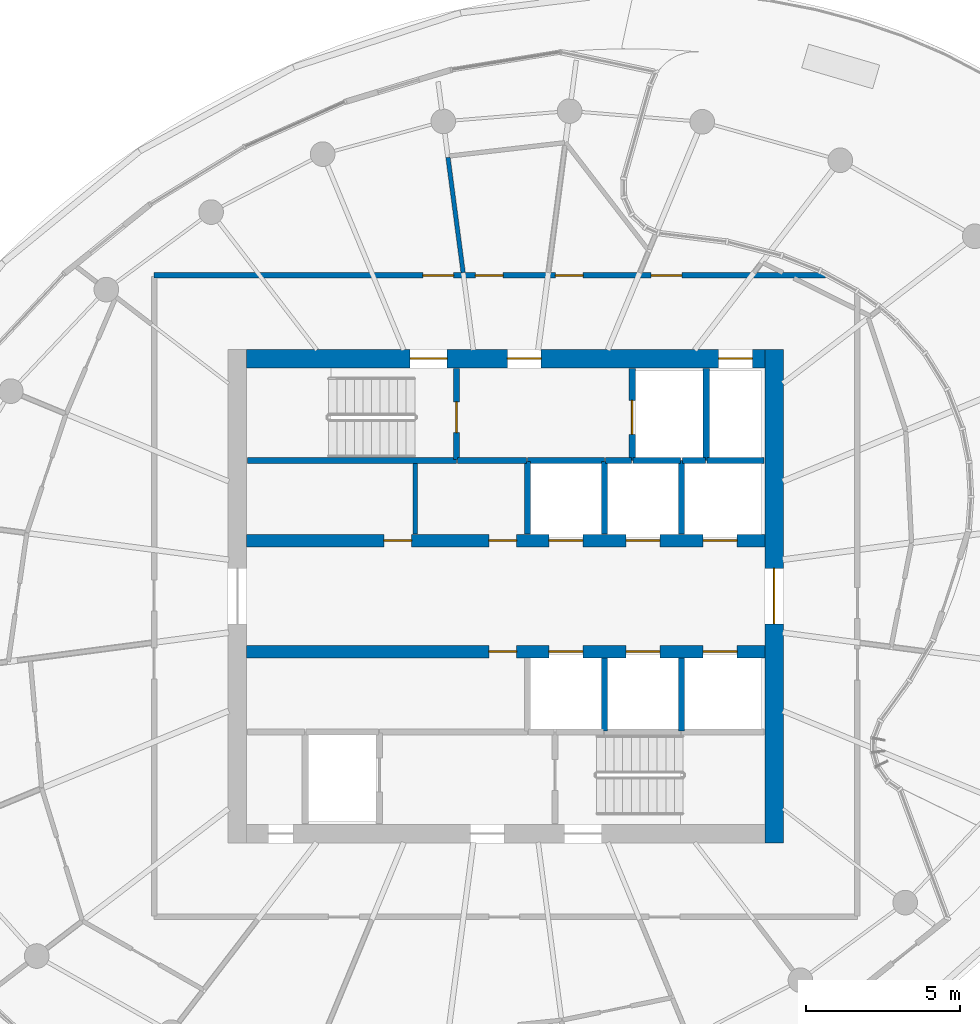
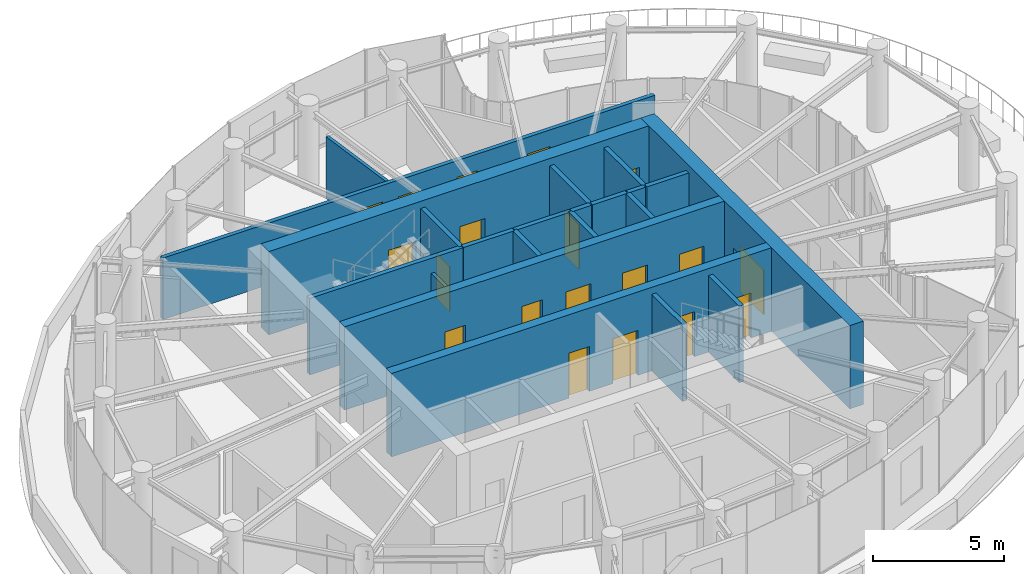
# One storey, part 13 of 19: 22 walls, 19 doors, 19 openings.
"""IFC4 building model written with IfcOpenShell, lengths in metres."""

from ifc_helpers import new_model, si_unit, direction, frame, frame_2d, origin, place, context, subcontext, project, spatial, rectangle, extrude, source, transform, mapped, material, layer, layer_set, type_object, element, fill, save


model = new_model("IFC4")

# Units and contexts
model_context = context("Model", 3, precision=1e-05, world=origin(), true_north=direction((0.0, 1.0)))
body_context = subcontext(model_context, "Body", "Model", "MODEL_VIEW")
ifc_project = project(units=[si_unit("LENGTHUNIT", "METRE"), si_unit("AREAUNIT", "SQUARE_METRE"), si_unit("VOLUMEUNIT", "CUBIC_METRE"), si_unit("PLANEANGLEUNIT", "RADIAN"), si_unit("MASSUNIT", "GRAM", prefix="KILO")], contexts=[model_context])

# Site, building, storey
site_placement = place(None, origin())
site = spatial("IfcSite", under=ifc_project, at=site_placement, CompositionType="ELEMENT")
building_placement = place(site_placement, origin())
building = spatial("IfcBuilding", under=site, at=building_placement, Name="Spindrift Exchange Tower", CompositionType="ELEMENT")
storey_placement = place(building_placement, frame((0.0, 0.0, 234.5)))
storey = spatial("IfcBuildingStorey", under=building, at=storey_placement, Name="L57", CompositionType="ELEMENT", Elevation=234.5)

# Wall, opening, door
ifc_material_1 = material(Name="Concrete 50 MPa", Category="concrete")
ifc_layer_1 = layer(ifc_material_1, 0.60009765625)
ifc_layer_set_1 = layer_set([ifc_layer_1], Name="RC Core Wall 600 Concrete 50 MPa")
wall_type_1 = type_object("IfcWallType", Name="RC Core Wall 600 Concrete 50 MPa", PredefinedType="SHEAR", material=ifc_layer_set_1)
wall_1_placement = place(storey_placement, frame((60.699951171875, 40.0, 0.0), z_axis=(0.0, 0.0, 1.0), x_axis=(0.0, 1.0, 0.0)))
wall_1 = element("IfcWall", 1, at=wall_1_placement, inside=storey, type_object=wall_type_1, Name="Core wall E L57", PredefinedType="SHEAR", context=body_context, shape_type="SweptSolid", body=[
    extrude(rectangle(XDim=16.0, YDim=0.60009765625, at=frame_2d((8.0, 0.0))), origin(), (0.0, 0.0, 1.0), 3.89990234375),
])
opening_1_placement = place(wall_1_placement, frame((7.10009765625, 0.0, 0.0)))
opening_1 = element("IfcOpeningElement", 2, at=opening_1_placement, cuts=wall_1, Name="Opening L57-D2", PredefinedType="OPENING", context=body_context, shape_type="SweptSolid", body=[
    extrude(rectangle(XDim=1.800048828125, YDim=2.10009765625, at=frame_2d((0.89990234375, 1.050048828125))), frame((0.0, 0.31005859375, 0.0), z_axis=(0.0, -1.0, 0.0), x_axis=(1.0, 0.0, 0.0)), (0.0, 0.0, 1.0), 0.6201171875),
])
ifc_material_2 = material(Name="Timber-core fire door", Category="wood")
door_type_1 = type_object("IfcDoorType", Name="DR-LOBBY-1800", OperationType="NOTDEFINED", PredefinedType="DOOR", material=ifc_material_2)
shared_shape_1 = source(origin(), body_context, "Body", "SweptSolid", [
    extrude(rectangle(XDim=1.800048828125, YDim=2.10009765625, at=frame_2d((0.89990234375, 1.050048828125))), frame((0.0, 0.02490234375, 0.0), z_axis=(0.0, -1.0, 0.0), x_axis=(1.0, 0.0, 0.0)), (0.0, 0.0, 1.0), 0.050048828125),
])
door_1_placement = place(opening_1_placement, origin())
door_1 = element("IfcDoor", 3, at=door_1_placement, inside=storey, type_object=door_type_1, Name="L57 Lobby door 2", OperationType="SINGLE_SWING_LEFT", OverallHeight=2.10009765625, OverallWidth=1.800048828125, PredefinedType="DOOR", context=body_context, shape_type="MappedRepresentation", body=[
    mapped(shared_shape_1, transform((0.0, 0.0, 0.0), scale=1.0)),
])
fill(opening_1, door_1)

# Wall, openings, doors
wall_2_placement = place(storey_placement, frame((60.39990234375, 55.699951171875, 0.0), z_axis=(0.0, 0.0, 1.0), x_axis=(-1.0, 0.0, 0.0)))
wall_2 = element("IfcWall", 4, at=wall_2_placement, inside=storey, type_object=wall_type_1, Name="Core wall N L57", PredefinedType="SHEAR", context=body_context, shape_type="SweptSolid", body=[
    extrude(rectangle(XDim=16.7998046875, YDim=0.60009765625, at=frame_2d((8.39990234375, 0.0))), origin(), (0.0, 0.0, 1.0), 3.89990234375),
])
opening_2_placement = place(wall_2_placement, frame((0.39990234375, 0.0, 0.0)))
opening_2 = element("IfcOpeningElement", 5, at=opening_2_placement, cuts=wall_2, Name="Opening L57-D11", PredefinedType="OPENING", context=body_context, shape_type="SweptSolid", body=[
    extrude(rectangle(XDim=1.10009765625, YDim=2.10009765625, at=frame_2d((0.550048828125, 1.050048828125))), frame((0.0, 0.31005859375, 0.0), z_axis=(0.0, -1.0, 0.0), x_axis=(1.0, 0.0, 0.0)), (0.0, 0.0, 1.0), 0.6201171875),
])
opening_3_placement = place(wall_2_placement, frame((10.300048828125, 0.0, 0.0)))
opening_3 = element("IfcOpeningElement", 6, at=opening_3_placement, cuts=wall_2, Name="Opening L57-D12", PredefinedType="OPENING", context=body_context, shape_type="SweptSolid", body=[
    extrude(rectangle(XDim=1.199951171875, YDim=2.10009765625, at=frame_2d((0.60009765625, 1.050048828125))), frame((0.0, 0.31005859375, 0.0), z_axis=(0.0, -1.0, 0.0), x_axis=(1.0, 0.0, 0.0)), (0.0, 0.0, 1.0), 0.6201171875),
])
opening_4_placement = place(wall_2_placement, frame((7.25, 0.0, 0.0)))
opening_4 = element("IfcOpeningElement", 7, at=opening_4_placement, cuts=wall_2, Name="Opening L57-D14", PredefinedType="OPENING", context=body_context, shape_type="SweptSolid", body=[
    extrude(rectangle(XDim=1.10009765625, YDim=2.10009765625, at=frame_2d((0.550048828125, 1.050048828125))), frame((0.0, 0.31005859375, 0.0), z_axis=(0.0, -1.0, 0.0), x_axis=(1.0, 0.0, 0.0)), (0.0, 0.0, 1.0), 0.6201171875),
])
ifc_material_3 = material(Name="Stainless steel landing door", Category="steel")
door_type_2 = type_object("IfcDoorType", Name="DR-LANDING-1100-SL", OperationType="DOUBLE_DOOR_SLIDING", PredefinedType="USERDEFINED", material=ifc_material_3)
shared_shape_2 = source(origin(), body_context, "Body", "SweptSolid", [
    extrude(rectangle(XDim=1.10009765625, YDim=2.10009765625, at=frame_2d((0.550048828125, 1.050048828125))), frame((0.0, 0.02490234375, 0.0), z_axis=(0.0, -1.0, 0.0), x_axis=(1.0, 0.0, 0.0)), (0.0, 0.0, 1.0), 0.050048828125),
])
door_2_placement = place(opening_2_placement, origin())
door_2 = element("IfcDoor", 8, at=door_2_placement, inside=storey, type_object=door_type_2, Name="L57 Lift landing door 11", ObjectType="LANDING DOOR", OperationType="DOUBLE_DOOR_SLIDING", OverallHeight=2.10009765625, OverallWidth=1.10009765625, PredefinedType="USERDEFINED", context=body_context, shape_type="MappedRepresentation", body=[
    mapped(shared_shape_2, transform((0.0, 0.0, 0.0), scale=1.0)),
])
fill(opening_2, door_2)
ifc_material_4 = material(Name="Steel fire door", Category="steel")
door_type_3 = type_object("IfcDoorType", Name="DR-STAIR-1200", OperationType="NOTDEFINED", PredefinedType="DOOR", material=ifc_material_4)
shared_shape_3 = source(origin(), body_context, "Body", "SweptSolid", [
    extrude(rectangle(XDim=1.199951171875, YDim=2.10009765625, at=frame_2d((0.60009765625, 1.050048828125))), frame((0.0, 0.02490234375, 0.0), z_axis=(0.0, -1.0, 0.0), x_axis=(1.0, 0.0, 0.0)), (0.0, 0.0, 1.0), 0.050048828125),
])
door_3_placement = place(opening_3_placement, origin())
door_3 = element("IfcDoor", 9, at=door_3_placement, inside=storey, type_object=door_type_3, Name="L57 Stair door 12", OperationType="SINGLE_SWING_RIGHT", OverallHeight=2.10009765625, OverallWidth=1.199951171875, PredefinedType="DOOR", context=body_context, shape_type="MappedRepresentation", body=[
    mapped(shared_shape_3, transform((0.0, 0.0, 0.0), scale=1.0)),
])
fill(opening_3, door_3)
door_type_4 = type_object("IfcDoorType", Name="DR-LOBBY-1100", OperationType="NOTDEFINED", PredefinedType="DOOR", material=ifc_material_2)
shared_shape_4 = source(origin(), body_context, "Body", "SweptSolid", [
    extrude(rectangle(XDim=1.10009765625, YDim=2.10009765625, at=frame_2d((0.550048828125, 1.050048828125))), frame((0.0, 0.02490234375, 0.0), z_axis=(0.0, -1.0, 0.0), x_axis=(1.0, 0.0, 0.0)), (0.0, 0.0, 1.0), 0.050048828125),
])
door_4_placement = place(opening_4_placement, origin())
door_4 = element("IfcDoor", 10, at=door_4_placement, inside=storey, type_object=door_type_4, Name="L57 Lobby door 14", OperationType="SINGLE_SWING_RIGHT", OverallHeight=2.10009765625, OverallWidth=1.10009765625, PredefinedType="DOOR", context=body_context, shape_type="MappedRepresentation", body=[
    mapped(shared_shape_4, transform((0.0, 0.0, 0.0), scale=1.0)),
])
fill(opening_4, door_4)

ifc_layer_2 = layer(ifc_material_1, 0.39990234375)
ifc_layer_set_2 = layer_set([ifc_layer_2], Name="RC Spine Wall 400 Concrete 50 MPa")
wall_type_2 = type_object("IfcWallType", Name="RC Spine Wall 400 Concrete 50 MPa", PredefinedType="SHEAR", material=ifc_layer_set_2)
wall_3_placement = place(storey_placement, frame((43.60009765625, 49.800048828125, 0.0), z_axis=(0.0, 0.0, 1.0), x_axis=(1.0, 0.0, 0.0)))
wall_3 = element("IfcWall", 11, at=wall_3_placement, inside=storey, type_object=wall_type_2, Name="Core spine wall N L57", PredefinedType="SHEAR", context=body_context, shape_type="SweptSolid", body=[
    extrude(rectangle(XDim=16.7998046875, YDim=0.39990234375, at=frame_2d((8.39990234375, 0.0))), origin(), (0.0, 0.0, 1.0), 3.89990234375),
])
opening_5_placement = place(wall_3_placement, frame((9.800048828125, 0.0, 0.0)))
opening_5 = element("IfcOpeningElement", 12, at=opening_5_placement, cuts=wall_3, Name="Opening L57-D3", PredefinedType="OPENING", context=body_context, shape_type="SweptSolid", body=[
    extrude(rectangle(XDim=1.10009765625, YDim=2.10009765625, at=frame_2d((0.550048828125, 1.050048828125))), frame((0.0, 0.2099609375, 0.0), z_axis=(0.0, -1.0, 0.0), x_axis=(1.0, 0.0, 0.0)), (0.0, 0.0, 1.0), 0.419921875),
])
opening_6_placement = place(wall_3_placement, frame((12.300048828125, 0.0, 0.0)))
opening_6 = element("IfcOpeningElement", 13, at=opening_6_placement, cuts=wall_3, Name="Opening L57-D4", PredefinedType="OPENING", context=body_context, shape_type="SweptSolid", body=[
    extrude(rectangle(XDim=1.10009765625, YDim=2.10009765625, at=frame_2d((0.550048828125, 1.050048828125))), frame((0.0, 0.2099609375, 0.0), z_axis=(0.0, -1.0, 0.0), x_axis=(1.0, 0.0, 0.0)), (0.0, 0.0, 1.0), 0.419921875),
])
opening_7_placement = place(wall_3_placement, frame((14.800048828125, 0.0, 0.0)))
opening_7 = element("IfcOpeningElement", 14, at=opening_7_placement, cuts=wall_3, Name="Opening L57-D5", PredefinedType="OPENING", context=body_context, shape_type="SweptSolid", body=[
    extrude(rectangle(XDim=1.10009765625, YDim=2.10009765625, at=frame_2d((0.550048828125, 1.050048828125))), frame((0.0, 0.2099609375, 0.0), z_axis=(0.0, -1.0, 0.0), x_axis=(1.0, 0.0, 0.0)), (0.0, 0.0, 1.0), 0.419921875),
])
opening_8_placement = place(wall_3_placement, frame((4.449951171875, 0.0, 0.0)))
opening_8 = element("IfcOpeningElement", 15, at=opening_8_placement, cuts=wall_3, Name="Opening L57-D39", PredefinedType="OPENING", context=body_context, shape_type="SweptSolid", body=[
    extrude(rectangle(XDim=0.89990234375, YDim=2.10009765625, at=frame_2d((0.449951171875, 1.050048828125))), frame((0.0, 0.2099609375, 0.0), z_axis=(0.0, -1.0, 0.0), x_axis=(1.0, 0.0, 0.0)), (0.0, 0.0, 1.0), 0.419921875),
])
opening_9_placement = place(wall_3_placement, frame((7.85009765625, 0.0, 0.0)))
opening_9 = element("IfcOpeningElement", 16, at=opening_9_placement, cuts=wall_3, Name="Opening L57-D40", PredefinedType="OPENING", context=body_context, shape_type="SweptSolid", body=[
    extrude(rectangle(XDim=0.89990234375, YDim=2.10009765625, at=frame_2d((0.449951171875, 1.050048828125))), frame((0.0, 0.2099609375, 0.0), z_axis=(0.0, -1.0, 0.0), x_axis=(1.0, 0.0, 0.0)), (0.0, 0.0, 1.0), 0.419921875),
])
door_5_placement = place(opening_5_placement, origin())
door_5 = element("IfcDoor", 17, at=door_5_placement, inside=storey, type_object=door_type_2, Name="L57 Lift landing door 3", ObjectType="LANDING DOOR", OperationType="DOUBLE_DOOR_SLIDING", OverallHeight=2.10009765625, OverallWidth=1.10009765625, PredefinedType="USERDEFINED", context=body_context, shape_type="MappedRepresentation", body=[
    mapped(shared_shape_2, transform((0.0, 0.0, 0.0), scale=1.0)),
])
fill(opening_5, door_5)
door_6_placement = place(opening_6_placement, origin())
door_6 = element("IfcDoor", 18, at=door_6_placement, inside=storey, type_object=door_type_2, Name="L57 Lift landing door 4", ObjectType="LANDING DOOR", OperationType="DOUBLE_DOOR_SLIDING", OverallHeight=2.10009765625, OverallWidth=1.10009765625, PredefinedType="USERDEFINED", context=body_context, shape_type="MappedRepresentation", body=[
    mapped(shared_shape_2, transform((0.0, 0.0, 0.0), scale=1.0)),
])
fill(opening_6, door_6)
door_7_placement = place(opening_7_placement, origin())
door_7 = element("IfcDoor", 19, at=door_7_placement, inside=storey, type_object=door_type_2, Name="L57 Lift landing door 5", ObjectType="LANDING DOOR", OperationType="DOUBLE_DOOR_SLIDING", OverallHeight=2.10009765625, OverallWidth=1.10009765625, PredefinedType="USERDEFINED", context=body_context, shape_type="MappedRepresentation", body=[
    mapped(shared_shape_2, transform((0.0, 0.0, 0.0), scale=1.0)),
])
fill(opening_7, door_7)
ifc_material_5 = material(Name="Steel access door", Category="steel")
door_type_5 = type_object("IfcDoorType", Name="DR-RISER-900", OperationType="NOTDEFINED", PredefinedType="DOOR", material=ifc_material_5)
shared_shape_5 = source(origin(), body_context, "Body", "SweptSolid", [
    extrude(rectangle(XDim=0.89990234375, YDim=2.10009765625, at=frame_2d((0.449951171875, 1.050048828125))), frame((0.0, 0.02490234375, 0.0), z_axis=(0.0, -1.0, 0.0), x_axis=(1.0, 0.0, 0.0)), (0.0, 0.0, 1.0), 0.050048828125),
])
door_8_placement = place(opening_8_placement, origin())
door_8 = element("IfcDoor", 20, at=door_8_placement, inside=storey, type_object=door_type_5, Name="L57 Riser door 39", OperationType="SINGLE_SWING_LEFT", OverallHeight=2.10009765625, OverallWidth=0.89990234375, PredefinedType="DOOR", context=body_context, shape_type="MappedRepresentation", body=[
    mapped(shared_shape_5, transform((0.0, 0.0, 0.0), scale=1.0)),
])
fill(opening_8, door_8)
door_9_placement = place(opening_9_placement, origin())
door_9 = element("IfcDoor", 21, at=door_9_placement, inside=storey, type_object=door_type_5, Name="L57 Riser door 40", OperationType="SINGLE_SWING_RIGHT", OverallHeight=2.10009765625, OverallWidth=0.89990234375, PredefinedType="DOOR", context=body_context, shape_type="MappedRepresentation", body=[
    mapped(shared_shape_5, transform((0.0, 0.0, 0.0), scale=1.0)),
])
fill(opening_9, door_9)

wall_4_placement = place(storey_placement, frame((43.60009765625, 46.199951171875, 0.0), z_axis=(0.0, 0.0, 1.0), x_axis=(1.0, 0.0, 0.0)))
wall_4 = element("IfcWall", 22, at=wall_4_placement, inside=storey, type_object=wall_type_2, Name="Core spine wall S L57", PredefinedType="SHEAR", context=body_context, shape_type="SweptSolid", body=[
    extrude(rectangle(XDim=16.7998046875, YDim=0.39990234375, at=frame_2d((8.39990234375, 0.0))), origin(), (0.0, 0.0, 1.0), 3.89990234375),
])
opening_10_placement = place(wall_4_placement, frame((9.800048828125, 0.0, 0.0)))
opening_10 = element("IfcOpeningElement", 23, at=opening_10_placement, cuts=wall_4, Name="Opening L57-D6", PredefinedType="OPENING", context=body_context, shape_type="SweptSolid", body=[
    extrude(rectangle(XDim=1.10009765625, YDim=2.10009765625, at=frame_2d((0.550048828125, 1.050048828125))), frame((0.0, 0.2099609375, 0.0), z_axis=(0.0, -1.0, 0.0), x_axis=(1.0, 0.0, 0.0)), (0.0, 0.0, 1.0), 0.419921875),
])
opening_11_placement = place(wall_4_placement, frame((12.300048828125, 0.0, 0.0)))
opening_11 = element("IfcOpeningElement", 24, at=opening_11_placement, cuts=wall_4, Name="Opening L57-D7", PredefinedType="OPENING", context=body_context, shape_type="SweptSolid", body=[
    extrude(rectangle(XDim=1.10009765625, YDim=2.10009765625, at=frame_2d((0.550048828125, 1.050048828125))), frame((0.0, 0.2099609375, 0.0), z_axis=(0.0, -1.0, 0.0), x_axis=(1.0, 0.0, 0.0)), (0.0, 0.0, 1.0), 0.419921875),
])
opening_12_placement = place(wall_4_placement, frame((14.800048828125, 0.0, 0.0)))
opening_12 = element("IfcOpeningElement", 25, at=opening_12_placement, cuts=wall_4, Name="Opening L57-D8", PredefinedType="OPENING", context=body_context, shape_type="SweptSolid", body=[
    extrude(rectangle(XDim=1.10009765625, YDim=2.10009765625, at=frame_2d((0.550048828125, 1.050048828125))), frame((0.0, 0.2099609375, 0.0), z_axis=(0.0, -1.0, 0.0), x_axis=(1.0, 0.0, 0.0)), (0.0, 0.0, 1.0), 0.419921875),
])
opening_13_placement = place(wall_4_placement, frame((7.85009765625, 0.0, 0.0)))
opening_13 = element("IfcOpeningElement", 26, at=opening_13_placement, cuts=wall_4, Name="Opening L57-D41", PredefinedType="OPENING", context=body_context, shape_type="SweptSolid", body=[
    extrude(rectangle(XDim=0.89990234375, YDim=2.10009765625, at=frame_2d((0.449951171875, 1.050048828125))), frame((0.0, 0.2099609375, 0.0), z_axis=(0.0, -1.0, 0.0), x_axis=(1.0, 0.0, 0.0)), (0.0, 0.0, 1.0), 0.419921875),
])
door_10_placement = place(opening_10_placement, origin())
door_10 = element("IfcDoor", 27, at=door_10_placement, inside=storey, type_object=door_type_2, Name="L57 Lift landing door 6", ObjectType="LANDING DOOR", OperationType="DOUBLE_DOOR_SLIDING", OverallHeight=2.10009765625, OverallWidth=1.10009765625, PredefinedType="USERDEFINED", context=body_context, shape_type="MappedRepresentation", body=[
    mapped(shared_shape_2, transform((0.0, 0.0, 0.0), scale=1.0)),
])
fill(opening_10, door_10)
door_11_placement = place(opening_11_placement, origin())
door_11 = element("IfcDoor", 28, at=door_11_placement, inside=storey, type_object=door_type_2, Name="L57 Lift landing door 7", ObjectType="LANDING DOOR", OperationType="DOUBLE_DOOR_SLIDING", OverallHeight=2.10009765625, OverallWidth=1.10009765625, PredefinedType="USERDEFINED", context=body_context, shape_type="MappedRepresentation", body=[
    mapped(shared_shape_2, transform((0.0, 0.0, 0.0), scale=1.0)),
])
fill(opening_11, door_11)
door_12_placement = place(opening_12_placement, origin())
door_12 = element("IfcDoor", 29, at=door_12_placement, inside=storey, type_object=door_type_2, Name="L57 Lift landing door 8", ObjectType="LANDING DOOR", OperationType="DOUBLE_DOOR_SLIDING", OverallHeight=2.10009765625, OverallWidth=1.10009765625, PredefinedType="USERDEFINED", context=body_context, shape_type="MappedRepresentation", body=[
    mapped(shared_shape_2, transform((0.0, 0.0, 0.0), scale=1.0)),
])
fill(opening_12, door_12)
door_13_placement = place(opening_13_placement, origin())
door_13 = element("IfcDoor", 30, at=door_13_placement, inside=storey, type_object=door_type_5, Name="L57 Riser door 41", OperationType="SINGLE_SWING_LEFT", OverallHeight=2.10009765625, OverallWidth=0.89990234375, PredefinedType="DOOR", context=body_context, shape_type="MappedRepresentation", body=[
    mapped(shared_shape_5, transform((0.0, 0.0, 0.0), scale=1.0)),
])
fill(opening_13, door_13)

ifc_material_6 = material(Name="Fire-rated plasterboard partition", Category="gypsum")
ifc_layer_3 = layer(ifc_material_6, 0.179931640625)
ifc_layer_set_3 = layer_set([ifc_layer_3], Name="W-CORR-180")
wall_type_3 = type_object("IfcWallType", Name="W-CORR-180", PredefinedType="PARTITIONING", material=ifc_layer_set_3)
wall_5_placement = place(storey_placement, frame((40.60009765625, 58.39990234375, 0.0), z_axis=(0.0, 0.0, 1.0), x_axis=(1.0, 0.0, 0.0)))
wall_5 = element("IfcWall", 31, at=wall_5_placement, inside=storey, type_object=wall_type_3, Name="L57 Partition wall 28", PredefinedType="PARTITIONING", context=body_context, shape_type="SweptSolid", body=[
    extrude(rectangle(XDim=21.76123046875, YDim=0.179931640625, at=frame_2d((10.880615234375, 0.0))), origin(), (0.0, 0.0, 1.0), 2.8798828125),
])
opening_14_placement = place(wall_5_placement, frame((13.011474609375, 0.0, 0.0)))
opening_14 = element("IfcOpeningElement", 32, at=opening_14_placement, cuts=wall_5, Name="Opening L57-D21", PredefinedType="OPENING", context=body_context, shape_type="SweptSolid", body=[
    extrude(rectangle(XDim=0.89990234375, YDim=2.10009765625, at=frame_2d((0.449951171875, 1.050048828125))), frame((0.0, 0.099853515625, 0.0), z_axis=(0.0, -1.0, 0.0), x_axis=(1.0, 0.0, 0.0)), (0.0, 0.0, 1.0), 0.199951171875),
])
opening_15_placement = place(wall_5_placement, frame((10.411376953125, 0.0, 0.0)))
opening_15 = element("IfcOpeningElement", 33, at=opening_15_placement, cuts=wall_5, Name="Opening L57-D22", PredefinedType="OPENING", context=body_context, shape_type="SweptSolid", body=[
    extrude(rectangle(XDim=0.89990234375, YDim=2.10009765625, at=frame_2d((0.449951171875, 1.050048828125))), frame((0.0, 0.099853515625, 0.0), z_axis=(0.0, -1.0, 0.0), x_axis=(1.0, 0.0, 0.0)), (0.0, 0.0, 1.0), 0.199951171875),
])
opening_16_placement = place(wall_5_placement, frame((8.71142578125, 0.0, 0.0)))
opening_16 = element("IfcOpeningElement", 34, at=opening_16_placement, cuts=wall_5, Name="Opening L57-D23", PredefinedType="OPENING", context=body_context, shape_type="SweptSolid", body=[
    extrude(rectangle(XDim=1.0, YDim=2.10009765625, at=frame_2d((0.5, 1.050048828125))), frame((0.0, 0.099853515625, 0.0), z_axis=(0.0, -1.0, 0.0), x_axis=(1.0, 0.0, 0.0)), (0.0, 0.0, 1.0), 0.199951171875),
])
opening_17_placement = place(wall_5_placement, frame((16.111328125, 0.0, 0.0)))
opening_17 = element("IfcOpeningElement", 35, at=opening_17_placement, cuts=wall_5, Name="Opening L57-D42", PredefinedType="OPENING", context=body_context, shape_type="SweptSolid", body=[
    extrude(rectangle(XDim=1.0, YDim=2.10009765625, at=frame_2d((0.5, 1.050048828125))), frame((0.0, 0.099853515625, 0.0), z_axis=(0.0, -1.0, 0.0), x_axis=(1.0, 0.0, 0.0)), (0.0, 0.0, 1.0), 0.199951171875),
])
door_type_6 = type_object("IfcDoorType", Name="DR-ROOM-1000", OperationType="NOTDEFINED", PredefinedType="DOOR", material=ifc_material_2)
shared_shape_6 = source(origin(), body_context, "Body", "SweptSolid", [
    extrude(rectangle(XDim=1.0, YDim=2.10009765625, at=frame_2d((0.5, 1.050048828125))), frame((0.0, 0.02490234375, 0.0), z_axis=(0.0, -1.0, 0.0), x_axis=(1.0, 0.0, 0.0)), (0.0, 0.0, 1.0), 0.050048828125),
])
door_14_placement = place(opening_16_placement, origin())
door_14 = element("IfcDoor", 36, at=door_14_placement, inside=storey, type_object=door_type_6, Name="L57 Door 23", OperationType="SINGLE_SWING_LEFT", OverallHeight=2.10009765625, OverallWidth=1.0, PredefinedType="DOOR", context=body_context, shape_type="MappedRepresentation", body=[
    mapped(shared_shape_6, transform((0.0, 0.0, 0.0), scale=1.0)),
])
fill(opening_16, door_14)
door_15_placement = place(opening_17_placement, origin())
door_15 = element("IfcDoor", 37, at=door_15_placement, inside=storey, type_object=door_type_6, Name="L57 Door 42", OperationType="SINGLE_SWING_RIGHT", OverallHeight=2.10009765625, OverallWidth=1.0, PredefinedType="DOOR", context=body_context, shape_type="MappedRepresentation", body=[
    mapped(shared_shape_6, transform((0.0, 0.0, 0.0), scale=1.0)),
])
fill(opening_17, door_15)
ifc_material_7 = material(Name="Laminate washroom door", Category="wood")
door_type_7 = type_object("IfcDoorType", Name="DR-WC-900", OperationType="NOTDEFINED", PredefinedType="DOOR", material=ifc_material_7)
shared_shape_7 = source(origin(), body_context, "Body", "SweptSolid", [
    extrude(rectangle(XDim=0.89990234375, YDim=2.10009765625, at=frame_2d((0.449951171875, 1.050048828125))), frame((0.0, 0.02490234375, 0.0), z_axis=(0.0, -1.0, 0.0), x_axis=(1.0, 0.0, 0.0)), (0.0, 0.0, 1.0), 0.050048828125),
])
door_16_placement = place(opening_14_placement, origin())
door_16 = element("IfcDoor", 38, at=door_16_placement, inside=storey, type_object=door_type_7, Name="L57 WC door 21", OperationType="SINGLE_SWING_LEFT", OverallHeight=2.10009765625, OverallWidth=0.89990234375, PredefinedType="DOOR", context=body_context, shape_type="MappedRepresentation", body=[
    mapped(shared_shape_7, transform((0.0, 0.0, 0.0), scale=1.0)),
])
fill(opening_14, door_16)
door_17_placement = place(opening_15_placement, origin())
door_17 = element("IfcDoor", 39, at=door_17_placement, inside=storey, type_object=door_type_7, Name="L57 WC door 22", OperationType="SINGLE_SWING_RIGHT", OverallHeight=2.10009765625, OverallWidth=0.89990234375, PredefinedType="DOOR", context=body_context, shape_type="MappedRepresentation", body=[
    mapped(shared_shape_7, transform((0.0, 0.0, 0.0), scale=1.0)),
])
fill(opening_15, door_17)

# Walls
ifc_layer_4 = layer(ifc_material_6, 0.139892578125)
ifc_layer_set_4 = layer_set([ifc_layer_4], Name="W-PART-140")
wall_type_4 = type_object("IfcWallType", Name="W-PART-140", PredefinedType="PARTITIONING", material=ifc_layer_set_4)
wall_6_placement = place(storey_placement, frame((50.618896484375, 58.489990234375, 0.0), z_axis=(0.0, 0.0, 1.0), x_axis=(-0.130504773783, 0.991447680929, 0.0)))
element("IfcWall", 40, at=wall_6_placement, inside=storey, type_object=wall_type_4, Name="L57 Partition wall 43", PredefinedType="PARTITIONING", context=body_context, shape_type="SweptSolid", body=[
    extrude(rectangle(XDim=3.76953125, YDim=0.139892578125, at=frame_2d((1.884765625, 0.0))), origin(), (0.0, 0.0, 1.0), 2.8798828125),
])
wall_7_placement = place(storey_placement, frame((49.06005859375, 50.010009765625, 0.0), z_axis=(0.0, 0.0, 1.0), x_axis=(0.0, 1.0, 0.0)))
element("IfcWall", 41, at=wall_7_placement, inside=storey, type_object=wall_type_4, Name="L57 Partition wall 55", PredefinedType="PARTITIONING", context=body_context, shape_type="SweptSolid", body=[
    extrude(rectangle(XDim=2.2900390625, YDim=0.139892578125, at=frame_2d((1.14501953125, 0.0))), origin(), (0.0, 0.0, 1.0), 2.8798828125),
])

# Wall, opening, door
ifc_material_8 = material(Name="Concrete 40 MPa", Category="concrete")
ifc_layer_5 = layer(ifc_material_8, 0.199951171875)
ifc_layer_set_5 = layer_set([ifc_layer_5], Name="W-SHAFT-200")
wall_type_5 = type_object("IfcWallType", Name="W-SHAFT-200", PredefinedType="SOLIDWALL", material=ifc_layer_set_5)
wall_8_placement = place(storey_placement, frame((56.10009765625, 55.3798828125, 0.0), z_axis=(0.0, 0.0, 1.0), x_axis=(0.0, -1.0, 0.0)))
wall_8 = element("IfcWall", 42, at=wall_8_placement, inside=storey, type_object=wall_type_5, Name="L57 Shaft wall 7", PredefinedType="SOLIDWALL", context=body_context, shape_type="SweptSolid", body=[
    extrude(rectangle(XDim=2.97998046875, YDim=0.199951171875, at=frame_2d((1.489990234375, 0.0))), origin(), (0.0, 0.0, 1.0), 3.580078125),
])
opening_18_placement = place(wall_8_placement, frame((1.030029296875, 0.0, 0.0)))
opening_18 = element("IfcOpeningElement", 43, at=opening_18_placement, cuts=wall_8, Name="Opening L57-D9", PredefinedType="OPENING", context=body_context, shape_type="SweptSolid", body=[
    extrude(rectangle(XDim=1.10009765625, YDim=2.10009765625, at=frame_2d((0.550048828125, 1.050048828125))), frame((0.0, 0.10986328125, 0.0), z_axis=(0.0, -1.0, 0.0), x_axis=(1.0, 0.0, 0.0)), (0.0, 0.0, 1.0), 0.219970703125),
])
door_18_placement = place(opening_18_placement, origin())
door_18 = element("IfcDoor", 44, at=door_18_placement, inside=storey, type_object=door_type_2, Name="L57 Lift landing door 9", ObjectType="LANDING DOOR", OperationType="DOUBLE_DOOR_SLIDING", OverallHeight=2.10009765625, OverallWidth=1.10009765625, PredefinedType="USERDEFINED", context=body_context, shape_type="MappedRepresentation", body=[
    mapped(shared_shape_2, transform((0.0, 0.0, 0.0), scale=1.0)),
])
fill(opening_18, door_18)

# Walls
wall_9_placement = place(storey_placement, frame((58.5, 52.39990234375, 0.0), z_axis=(0.0, 0.0, 1.0), x_axis=(0.0, 1.0, 0.0)))
element("IfcWall", 45, at=wall_9_placement, inside=storey, type_object=wall_type_5, Name="L57 Shaft wall 8", PredefinedType="SOLIDWALL", context=body_context, shape_type="SweptSolid", body=[
    extrude(rectangle(XDim=2.97998046875, YDim=0.199951171875, at=frame_2d((1.489990234375, 0.0))), origin(), (0.0, 0.0, 1.0), 3.580078125),
])
wall_10_placement = place(storey_placement, frame((55.199951171875, 52.39990234375, 0.0), z_axis=(0.0, 0.0, 1.0), x_axis=(-1.0, 0.0, 0.0)))
element("IfcWall", 46, at=wall_10_placement, inside=storey, type_object=wall_type_5, Name="L57 Shaft wall 10", PredefinedType="SOLIDWALL", context=body_context, shape_type="SweptSolid", body=[
    extrude(rectangle(XDim=2.5, YDim=0.199951171875, at=frame_2d((1.25, 0.0))), origin(), (0.0, 0.0, 1.0), 3.580078125),
])
for number, where, z_axis, x_axis, name in (
    (47, (52.699951171875, 52.3701171875, 0.0), (0.0, 0.0, 1.0), (0.0, -1.0, 0.0), "L57 Shaft wall 14"),
    (48, (55.199951171875, 50.010009765625, 0.0), (0.0, 0.0, 1.0), (0.0, 1.0, 0.0), "L57 Shaft wall 16"),
):
    element("IfcWall", number, at=place(storey_placement, frame(where, z_axis=z_axis, x_axis=x_axis)), inside=storey, type_object=wall_type_5, Name=name, PredefinedType="SOLIDWALL", context=body_context, shape_type="SweptSolid", body=[
        extrude(rectangle(XDim=2.360107421875, YDim=0.199951171875, at=frame_2d((1.18017578125, 0.0))), origin(), (0.0, 0.0, 1.0), 3.580078125),
    ])
wall_11_placement = place(storey_placement, frame((57.699951171875, 50.010009765625, 0.0), z_axis=(0.0, 0.0, 1.0), x_axis=(0.0, 1.0, 0.0)))
element("IfcWall", 49, at=wall_11_placement, inside=storey, type_object=wall_type_5, Name="L57 Shaft wall 18", PredefinedType="SOLIDWALL", context=body_context, shape_type="SweptSolid", body=[
    extrude(rectangle(XDim=2.389892578125, YDim=0.199951171875, at=frame_2d((1.19482421875, 0.0))), origin(), (0.0, 0.0, 1.0), 3.580078125),
])
wall_12_placement = place(storey_placement, frame((60.3798828125, 52.39990234375, 0.0), z_axis=(0.0, 0.0, 1.0), x_axis=(-1.0, 0.0, 0.0)))
element("IfcWall", 50, at=wall_12_placement, inside=storey, type_object=wall_type_5, Name="L57 Shaft wall 21", PredefinedType="SOLIDWALL", context=body_context, shape_type="SweptSolid", body=[
    extrude(rectangle(XDim=1.849853515625, YDim=0.199951171875, at=frame_2d((0.9248046875, 0.0))), origin(), (0.0, 0.0, 1.0), 3.580078125),
])
wall_13_placement = place(storey_placement, frame((57.669921875, 52.39990234375, 0.0), z_axis=(0.0, 0.0, 1.0), x_axis=(-1.0, 0.0, 0.0)))
element("IfcWall", 51, at=wall_13_placement, inside=storey, type_object=wall_type_5, Name="L57 Shaft wall 23", PredefinedType="SOLIDWALL", context=body_context, shape_type="SweptSolid", body=[
    extrude(rectangle(XDim=1.5400390625, YDim=0.199951171875, at=frame_2d((0.77001953125, 0.0))), origin(), (0.0, 0.0, 1.0), 3.580078125),
])
wall_14_placement = place(storey_placement, frame((56.070068359375, 52.39990234375, 0.0), z_axis=(0.0, 0.0, 1.0), x_axis=(-1.0, 0.0, 0.0)))
element("IfcWall", 52, at=wall_14_placement, inside=storey, type_object=wall_type_5, Name="L57 Shaft wall 25", PredefinedType="SOLIDWALL", context=body_context, shape_type="SweptSolid", body=[
    extrude(rectangle(XDim=0.840087890625, YDim=0.199951171875, at=frame_2d((0.419921875, 0.0))), origin(), (0.0, 0.0, 1.0), 3.580078125),
])
wall_15_placement = place(storey_placement, frame((58.469970703125, 52.39990234375, 0.0), z_axis=(0.0, 0.0, 1.0), x_axis=(-1.0, 0.0, 0.0)))
element("IfcWall", 53, at=wall_15_placement, inside=storey, type_object=wall_type_5, Name="L57 Shaft wall 26", PredefinedType="SOLIDWALL", context=body_context, shape_type="SweptSolid", body=[
    extrude(rectangle(XDim=0.739990234375, YDim=0.199951171875, at=frame_2d((0.3701171875, 0.0))), origin(), (0.0, 0.0, 1.0), 3.580078125),
])
ifc_layer_6 = layer(ifc_material_8, 0.199951171875)
ifc_layer_set_6 = layer_set([ifc_layer_6], Name="W-SHAFT-200-LB")
wall_type_6 = type_object("IfcWallType", Name="W-SHAFT-200-LB", PredefinedType="SOLIDWALL", material=ifc_layer_set_6)
wall_16_placement = place(storey_placement, frame((43.6201171875, 52.39990234375, 0.0), z_axis=(0.0, 0.0, 1.0), x_axis=(1.0, 0.0, 0.0)))
element("IfcWall", 54, at=wall_16_placement, inside=storey, type_object=wall_type_6, Name="L57 Shaft wall 1", PredefinedType="SOLIDWALL", context=body_context, shape_type="SweptSolid", body=[
    extrude(rectangle(XDim=6.77978515625, YDim=0.199951171875, at=frame_2d((3.389892578125, 0.0))), origin(), (0.0, 0.0, 1.0), 3.580078125),
])

# Wall, opening, door
wall_17_placement = place(storey_placement, frame((50.39990234375, 52.429931640625, 0.0), z_axis=(0.0, 0.0, 1.0), x_axis=(0.0, 1.0, 0.0)))
wall_17 = element("IfcWall", 55, at=wall_17_placement, inside=storey, type_object=wall_type_6, Name="L57 Shaft wall 5", PredefinedType="SOLIDWALL", context=body_context, shape_type="SweptSolid", body=[
    extrude(rectangle(XDim=2.949951171875, YDim=0.199951171875, at=frame_2d((1.47509765625, 0.0))), origin(), (0.0, 0.0, 1.0), 3.580078125),
])
opening_19_placement = place(wall_17_placement, frame((0.8701171875, 0.0, 0.0)))
opening_19 = element("IfcOpeningElement", 56, at=opening_19_placement, cuts=wall_17, Name="Opening L57-D13", PredefinedType="OPENING", context=body_context, shape_type="SweptSolid", body=[
    extrude(rectangle(XDim=1.0, YDim=2.10009765625, at=frame_2d((0.5, 1.050048828125))), frame((0.0, 0.10986328125, 0.0), z_axis=(0.0, -1.0, 0.0), x_axis=(1.0, 0.0, 0.0)), (0.0, 0.0, 1.0), 0.219970703125),
])
door_type_8 = type_object("IfcDoorType", Name="DR-STAIR-1000", OperationType="NOTDEFINED", PredefinedType="DOOR", material=ifc_material_4)
shared_shape_8 = source(origin(), body_context, "Body", "SweptSolid", [
    extrude(rectangle(XDim=1.0, YDim=2.10009765625, at=frame_2d((0.5, 1.050048828125))), frame((0.0, 0.02490234375, 0.0), z_axis=(0.0, -1.0, 0.0), x_axis=(1.0, 0.0, 0.0)), (0.0, 0.0, 1.0), 0.050048828125),
])
door_19_placement = place(opening_19_placement, origin())
door_19 = element("IfcDoor", 57, at=door_19_placement, inside=storey, type_object=door_type_8, Name="L57 Stair door 13", OperationType="SINGLE_SWING_LEFT", OverallHeight=2.10009765625, OverallWidth=1.0, PredefinedType="DOOR", context=body_context, shape_type="MappedRepresentation", body=[
    mapped(shared_shape_8, transform((0.0, 0.0, 0.0), scale=1.0)),
])
fill(opening_19, door_19)

# Walls
for number, where, z_axis, x_axis, name in (
    (58, (55.199951171875, 43.6298828125, 0.0), (0.0, 0.0, 1.0), (0.0, 1.0, 0.0), "L57 Shaft wall 15"),
    (59, (57.699951171875, 43.6298828125, 0.0), (0.0, 0.0, 1.0), (0.0, 1.0, 0.0), "L57 Shaft wall 17"),
):
    element("IfcWall", number, at=place(storey_placement, frame(where, z_axis=z_axis, x_axis=x_axis)), inside=storey, type_object=wall_type_6, Name=name, PredefinedType="SOLIDWALL", context=body_context, shape_type="SweptSolid", body=[
        extrude(rectangle(XDim=2.360107421875, YDim=0.199951171875, at=frame_2d((1.18017578125, 0.0))), origin(), (0.0, 0.0, 1.0), 3.580078125),
    ])
wall_18_placement = place(storey_placement, frame((50.429931640625, 52.39990234375, 0.0), z_axis=(0.0, 0.0, 1.0), x_axis=(1.0, 0.0, 0.0)))
element("IfcWall", 60, at=wall_18_placement, inside=storey, type_object=wall_type_6, Name="L57 Shaft wall 19", PredefinedType="SOLIDWALL", context=body_context, shape_type="SweptSolid", body=[
    extrude(rectangle(XDim=2.239990234375, YDim=0.199951171875, at=frame_2d((1.1201171875, 0.0))), origin(), (0.0, 0.0, 1.0), 3.580078125),
])

save(model, "model.ifc")
